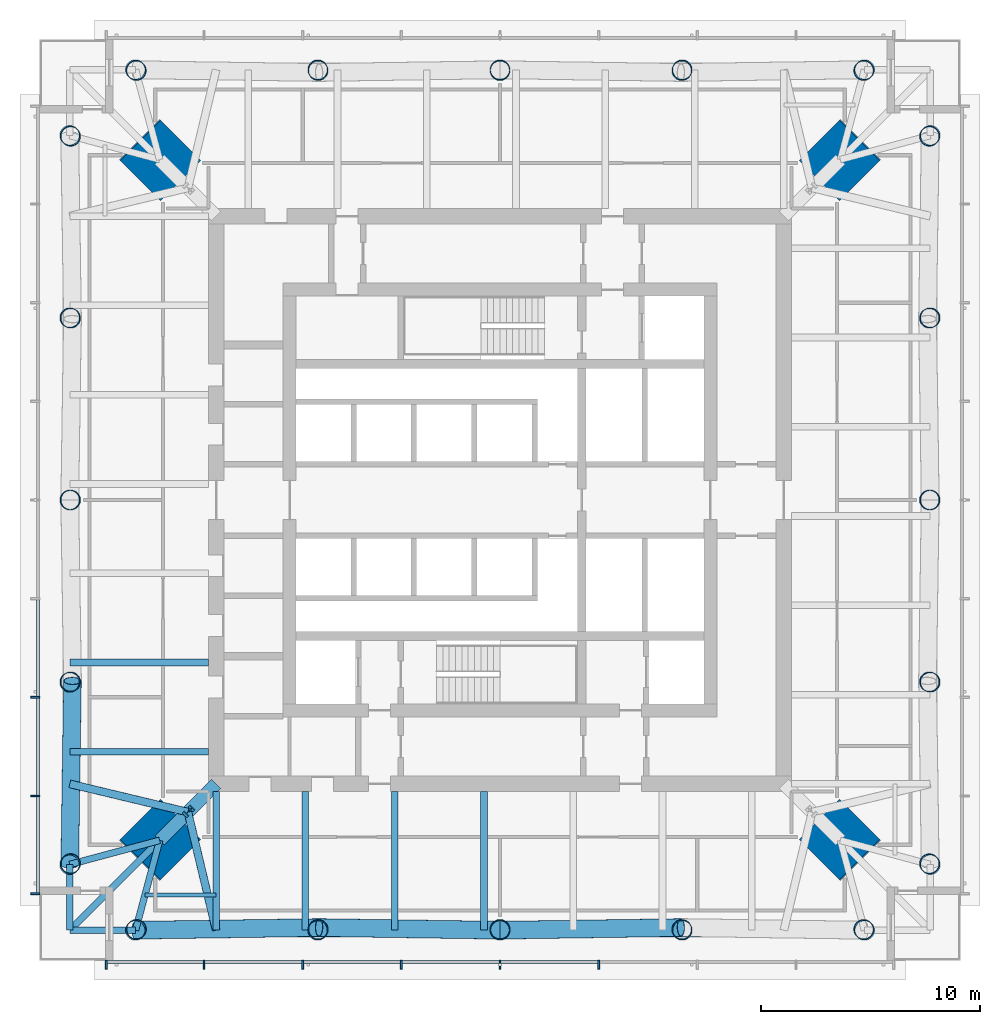
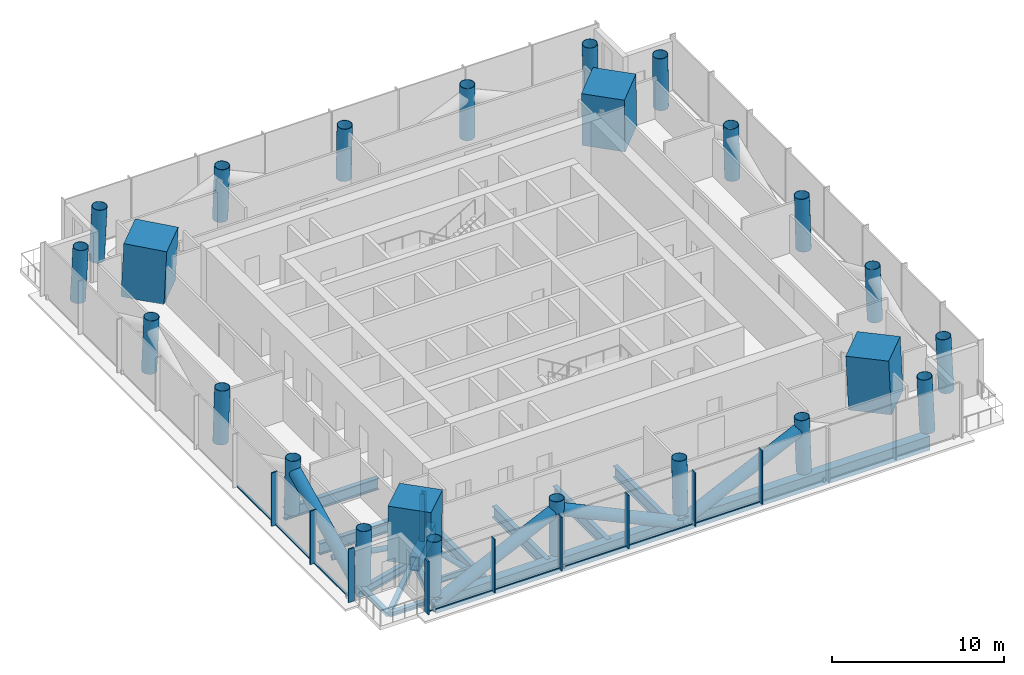
# One storey, part 1 of 13: 26 members, 24 columns, 12 beams, 2 elements without a shape of their own.
"""IFC4 building model written with IfcOpenShell, lengths in metres."""

import ifcopenshell
import ifcopenshell.guid

model = None  # the IFC model being written
_history = None  # IfcOwnerHistory: only IFC2X3 demands one
_inside = {}  # id of a spatial element -> (the spatial element, [elements in it])
_under = {}  # id of a project, library or spatial element -> (it, [spatial elements below it])
_declared = {}  # id of a project -> (the project, [libraries it declares])
_typed = {}  # id of a type object -> (the type object, [elements of that type])
_made_of = {}  # id of a material, layer set ... -> (it, [elements and type objects made of it])


def new_model(schema):
    """Start an empty IFC model of exactly this schema.

    Asked for "IFC4X3", IfcOpenShell would pick the latest addendum, in which some entities
    have other attributes; the version numbers below select the first issue.
    IFC2X3 requires an IfcOwnerHistory on every rooted entity: one is made here for all.
    """
    global model, _history
    if schema == "IFC4X3":
        model = ifcopenshell.file(schema_version=(4, 3, 0, 0))
    else:
        model = ifcopenshell.file(schema=schema)
    _inside.clear()
    _under.clear()
    _declared.clear()
    _typed.clear()
    _made_of.clear()
    _history = None
    if model.schema == "IFC2X3":
        org = make("IfcOrganization", Name="unknown")
        user = make(
            "IfcPersonAndOrganization",
            ThePerson=make("IfcPerson", FamilyName="unknown"),
            TheOrganization=org,
        )
        app = make(
            "IfcApplication",
            ApplicationDeveloper=org,
            Version="unknown",
            ApplicationFullName="unknown",
            ApplicationIdentifier="unknown",
        )
        _history = make(
            "IfcOwnerHistory",
            OwningUser=user,
            OwningApplication=app,
            ChangeAction="ADDED",
            CreationDate=0,
        )
    return model


def make(cls, **values):
    """One entity of the class cls with the attributes given. An attribute that is None is left unset."""
    return model.create_entity(
        cls, **{name: value for name, value in values.items() if value is not None}
    )


def rooted(cls, **values):
    """An entity with a GlobalId (a new one), such as an element, a storey or a relation."""
    return make(cls, GlobalId=ifcopenshell.guid.new(), OwnerHistory=_history, **values)


def si_unit(unit_type, name, prefix=None):
    """IfcSIUnit, for example si_unit("LENGTHUNIT", "METRE", prefix="MILLI")."""
    return make("IfcSIUnit", UnitType=unit_type, Prefix=prefix, Name=name)


def assignment(units):
    """IfcUnitAssignment: the units of a project."""
    return None if units is None else make("IfcUnitAssignment", Units=units)


def point(xyz):
    """IfcCartesianPoint."""
    return None if xyz is None else make("IfcCartesianPoint", Coordinates=xyz)


def direction(xyz):
    """IfcDirection."""
    return None if xyz is None else make("IfcDirection", DirectionRatios=xyz)


def frame(location, z_axis=None, x_axis=None):
    """IfcAxis2Placement3D, a coordinate frame: its origin and axes. An axis left out is left unset."""
    return make(
        "IfcAxis2Placement3D",
        Location=point(location),
        Axis=direction(z_axis),
        RefDirection=direction(x_axis),
    )


def frame_2d(location, x_axis=None):
    """IfcAxis2Placement2D, a coordinate frame in the plane: its origin and x axis."""
    return make(
        "IfcAxis2Placement2D", Location=point(location), RefDirection=direction(x_axis)
    )


def origin():
    """The frame at (0, 0, 0) with its axes left unset."""
    return frame((0.0, 0.0, 0.0))


def origin_2d():
    """The frame at (0, 0) in the plane with its x axis left unset."""
    return frame_2d((0.0, 0.0))


def place(relative_to, where):
    """IfcLocalPlacement: puts the frame where relative to a parent placement (None: the world)."""
    return make(
        "IfcLocalPlacement", PlacementRelTo=relative_to, RelativePlacement=where
    )


def context(
    kind, dimensions, precision=None, world=None, true_north=None, identifier=None
):
    """IfcGeometricRepresentationContext, for example the 3D "Model" context."""
    return make(
        "IfcGeometricRepresentationContext",
        ContextIdentifier=identifier,
        ContextType=kind,
        CoordinateSpaceDimension=dimensions,
        Precision=precision,
        WorldCoordinateSystem=world,
        TrueNorth=true_north,
    )


def subcontext(parent, identifier, kind, view, scale=None):
    """IfcGeometricRepresentationSubContext, for example "Body" below "Model"."""
    return make(
        "IfcGeometricRepresentationSubContext",
        ContextIdentifier=identifier,
        ContextType=kind,
        ParentContext=parent,
        TargetScale=scale,
        TargetView=view,
    )


def project(units=None, contexts=None):
    """IfcProject with its units and contexts."""
    return rooted(
        "IfcProject",
        Name="project",
        RepresentationContexts=contexts,
        UnitsInContext=assignment(units),
    )


def spatial(cls, under=None, at=None, **own):
    """A site, building, storey or space (cls), placed at a placement, below another one or the project."""
    s = rooted(cls, ObjectPlacement=at, **own)
    if under is not None:
        _under.setdefault(under.id(), (under, []))[1].append(s)
    return s


def profile(cls, at=None, kind="AREA", **sizes):
    """A parametric profile (cls). Its sizes go by their IFC names, for example OverallWidth=200.0."""
    return make(cls, ProfileType=kind, Position=at, **sizes)


def rectangle(**sizes):
    """IfcRectangleProfileDef."""
    return profile("IfcRectangleProfileDef", **sizes)


def hollow_rectangle(**sizes):
    """IfcRectangleHollowProfileDef."""
    return profile("IfcRectangleHollowProfileDef", **sizes)


def hollow_circle(**sizes):
    """IfcCircleHollowProfileDef."""
    return profile("IfcCircleHollowProfileDef", **sizes)


def i_section(**sizes):
    """IfcIShapeProfileDef."""
    return profile("IfcIShapeProfileDef", **sizes)


def extrude(swept, where, along, depth):
    """IfcExtrudedAreaSolid: the profile swept, set in the frame where, extruded along a direction by depth."""
    return make(
        "IfcExtrudedAreaSolid",
        SweptArea=swept,
        Position=where,
        ExtrudedDirection=direction(along),
        Depth=depth,
    )


def shape(context_of_items, identifier, shape_type, items):
    """IfcShapeRepresentation: the items that make up one representation, for example the "Body"."""
    return make(
        "IfcShapeRepresentation",
        ContextOfItems=context_of_items,
        RepresentationIdentifier=identifier,
        RepresentationType=shape_type,
        Items=items,
    )


def material(Name=None, Category=None):
    """IfcMaterial."""
    return make("IfcMaterial", Name=Name, Category=Category)


def material_profile(
    of_material, cross_section, Name=None, Category=None, Priority=None
):
    """IfcMaterialProfile: a cross section and its material."""
    return make(
        "IfcMaterialProfile",
        Name=Name,
        Material=of_material,
        Profile=cross_section,
        Priority=Priority,
        Category=Category,
    )


def profile_set(profiles, Name=None, composite=None):
    """IfcMaterialProfileSet."""
    return make(
        "IfcMaterialProfileSet",
        Name=Name,
        MaterialProfiles=profiles,
        CompositeProfile=composite,
    )


def made_of(thing, what):
    """Note that an element or type object is made of a material, layer set ...; save() writes the relation."""
    if what is not None:
        _made_of.setdefault(what.id(), (what, []))[1].append(thing)
    return thing


def type_object(cls, material=None, **own):
    """A type object (cls), such as IfcWallType, which elements share."""
    return made_of(rooted(cls, **own), material)


def element(
    cls,
    number,
    at=None,
    inside=None,
    cuts=None,
    type_object=None,
    material=None,
    context=None,
    identifier="Body",
    shape_type=None,
    held_by="IfcProductDefinitionShape",
    body=None,
    shapes=None,
    **own,
):
    """One element of the class cls, such as IfcWall. Its Tag is "e" and its number.

    at: its placement. inside: the storey or other place that contains it. cuts: it is an
    opening in that element (IfcRelVoidsElement). A single representation is given by context,
    identifier, shape_type and body (its items); several are given by shapes. held_by: the class
    of the entity that holds the representations. save() writes the other relations.
    """
    e = rooted(cls, Tag="e%d" % number, ObjectPlacement=at, **own)
    if body is not None:
        shapes = [shape(context, identifier, shape_type, body)]
    if shapes is not None:
        e.Representation = make(held_by, Representations=shapes)
    if inside is not None:
        _inside.setdefault(inside.id(), (inside, []))[1].append(e)
    if cuts is not None:
        rooted(
            "IfcRelVoidsElement", RelatingBuildingElement=cuts, RelatedOpeningElement=e
        )
    if type_object is not None:
        _typed.setdefault(type_object.id(), (type_object, []))[1].append(e)
    return made_of(e, material)


def aggregate(whole, parts):
    """IfcRelAggregates: a whole, such as a stair, and the parts it consists of."""
    return rooted("IfcRelAggregates", RelatingObject=whole, RelatedObjects=parts)


def save(model, path):
    """Write the relations noted so far, then the file.

    IfcRelAggregates (storeys below a building ...), IfcRelContainedInSpatialStructure (elements
    in a storey), IfcRelDefinesByType, IfcRelAssociatesMaterial and IfcRelDeclares: one each for
    every whole, place, type object, material and project.
    """
    for whole, parts in _under.values():
        aggregate(whole, parts)
    for where, things in _inside.values():
        rooted(
            "IfcRelContainedInSpatialStructure",
            RelatedElements=things,
            RelatingStructure=where,
        )
    for kind, things in _typed.values():
        rooted("IfcRelDefinesByType", RelatedObjects=things, RelatingType=kind)
    for what, things in _made_of.values():
        rooted("IfcRelAssociatesMaterial", RelatedObjects=things, RelatingMaterial=what)
    for by, libraries in _declared.values():
        rooted("IfcRelDeclares", RelatingContext=by, RelatedDefinitions=libraries)
    model.write(path)


model = new_model("IFC4")

# Units and contexts
model_context = context("Model", 3, precision=1e-05, world=origin(), true_north=direction((0.0, 1.0)))
body_context = subcontext(model_context, "Body", "Model", "MODEL_VIEW")
ifc_project = project(units=[si_unit("LENGTHUNIT", "METRE"), si_unit("AREAUNIT", "SQUARE_METRE"), si_unit("VOLUMEUNIT", "CUBIC_METRE"), si_unit("PLANEANGLEUNIT", "RADIAN"), si_unit("MASSUNIT", "GRAM", prefix="KILO")], contexts=[model_context])

# Site, building, storey
site_placement = place(None, origin())
site = spatial("IfcSite", under=ifc_project, at=site_placement, CompositionType="ELEMENT")
building_placement = place(site_placement, origin())
building = spatial("IfcBuilding", under=site, at=building_placement, Name="Ostroluk Exchange", CompositionType="ELEMENT")
storey_placement = place(building_placement, frame((0.0, 0.0, 157.800048828125)))
storey = spatial("IfcBuildingStorey", under=building, at=storey_placement, Name="L40", CompositionType="ELEMENT", Elevation=157.800048828125)

# Columns
ifc_material_1 = material(Name="Concrete C50/60", Category="concrete")
ifc_material_profile_1 = material_profile(ifc_material_1, rectangle(XDim=2.60009765625, YDim=2.60009765625, at=origin_2d()), Name="RC 2600x2600")
ifc_profile_set_1 = profile_set([ifc_material_profile_1], Name="Concrete C50/60")
column_type_1 = type_object("IfcColumnType", Name="Mega column RC 2600x2600", PredefinedType="COLUMN", material=ifc_profile_set_1)
for number, where, z_axis, x_axis, name in (
    (1, (60.528564453125, 61.528564453125, 0.0), (-0.031898107953, -0.031898107953, 0.998981992539), (0.707106781187, -0.707106781187, 0.0), "T1 mega column NE"),
    (2, (29.471435546875, 61.528564453125, 0.0), (0.031898107953, -0.031898107953, 0.998981992539), (0.707106781187, 0.707106781187, 0.0), "T1 mega column NW"),
    (3, (29.471435546875, 30.471435546875, 0.0), (0.031898107953, 0.031898107953, 0.998981992539), (-0.707106781187, 0.707106781187, 0.0), "T1 mega column SW"),
    (4, (60.528564453125, 30.471435546875, 0.0), (-0.031898107953, 0.031898107953, 0.998981992539), (-0.707106781187, -0.707106781187, 0.0), "T1 mega column SE"),
):
    element("IfcColumn", number, at=place(storey_placement, frame(where, z_axis=z_axis, x_axis=x_axis)), inside=storey, type_object=column_type_1, Name=name, PredefinedType="COLUMN", context=body_context, shape_type="SweptSolid", body=[
        extrude(rectangle(XDim=2.60009765625, YDim=2.60009765625, at=origin_2d()), origin(), (0.0, 0.0, 1.0), 3.803955078125),
    ])
ifc_material_2 = material(Name="Steel S460", Category="steel")
ifc_material_profile_2 = material_profile(ifc_material_2, hollow_circle(Radius=0.45703125, WallThickness=0.030029296875, at=origin_2d()), Name="CHS 914x30")
ifc_profile_set_2 = profile_set([ifc_material_profile_2], Name="Steel S460")
column_type_2 = type_object("IfcColumnType", Name="Perimeter column CHS 914x30", PredefinedType="COLUMN", material=ifc_profile_set_2)
for number, where, z_axis, x_axis, name in (
    (5, (64.628662109375, 29.371337890625, 0.0), (-0.031962158256, 0.031962158256, 0.998977898093), (-0.707106781187, -0.707106781187, 0.0), "T1 east face column E0"),
    (6, (64.628662109375, 62.628662109375, 0.0), (-0.031962158256, -0.031962158256, 0.998977898093), (0.707106781187, -0.707106781187, 0.0), "T1 east face column E1"),
):
    element("IfcColumn", number, at=place(storey_placement, frame(where, z_axis=z_axis, x_axis=x_axis)), inside=storey, type_object=column_type_2, Name=name, PredefinedType="COLUMN", context=body_context, shape_type="SweptSolid", body=[
        extrude(hollow_circle(Radius=0.45703125, WallThickness=0.030029296875, at=origin_2d()), origin(), (0.0, 0.0, 1.0), 3.803955078125),
    ])
column_1_placement = place(storey_placement, frame((64.628662109375, 37.685791015625, 0.0), z_axis=(-0.031974442509, 0.015923015547, 0.999361842679), x_axis=(-0.445775033553, -0.895145027055, 0.0)))
element("IfcColumn", 7, at=column_1_placement, inside=storey, type_object=column_type_2, Name="T1 east face column I1", PredefinedType="COLUMN", context=body_context, shape_type="SweptSolid", body=[
    extrude(hollow_circle(Radius=0.45703125, WallThickness=0.030029296875, at=origin_2d()), origin(), (0.0, 0.0, 1.0), 3.802490234375),
])
column_2_placement = place(storey_placement, frame((64.628662109375, 46.0, 0.0), z_axis=(-0.031978496719, 0.0, 0.999488557087), x_axis=(0.0, -1.0, 0.0)))
element("IfcColumn", 8, at=column_2_placement, inside=storey, type_object=column_type_2, Name="T1 east face column I2", PredefinedType="COLUMN", context=body_context, shape_type="SweptSolid", body=[
    extrude(hollow_circle(Radius=0.45703125, WallThickness=0.030029296875, at=origin_2d()), origin(), (0.0, 0.0, 1.0), 3.802001953125),
])
column_3_placement = place(storey_placement, frame((64.628662109375, 54.314208984375, 0.0), z_axis=(-0.031974442509, -0.015923015547, 0.999361842679), x_axis=(0.445775033553, -0.895145027055, 0.0)))
element("IfcColumn", 9, at=column_3_placement, inside=storey, type_object=column_type_2, Name="T1 east face column I3", PredefinedType="COLUMN", context=body_context, shape_type="SweptSolid", body=[
    extrude(hollow_circle(Radius=0.45703125, WallThickness=0.030029296875, at=origin_2d()), origin(), (0.0, 0.0, 1.0), 3.802490234375),
])
for number, where, z_axis, x_axis, name in (
    (10, (61.628662109375, 65.628662109375, 0.0), (-0.031962158256, -0.031962158256, 0.998977898093), (0.707106781187, -0.707106781187, 0.0), "T1 north face column E0"),
    (11, (28.371337890625, 65.628662109375, 0.0), (0.031962158256, -0.031962158256, 0.998977898093), (0.707106781187, 0.707106781187, 0.0), "T1 north face column E1"),
):
    element("IfcColumn", number, at=place(storey_placement, frame(where, z_axis=z_axis, x_axis=x_axis)), inside=storey, type_object=column_type_2, Name=name, PredefinedType="COLUMN", context=body_context, shape_type="SweptSolid", body=[
        extrude(hollow_circle(Radius=0.45703125, WallThickness=0.030029296875, at=origin_2d()), origin(), (0.0, 0.0, 1.0), 3.803955078125),
    ])
column_4_placement = place(storey_placement, frame((53.314208984375, 65.628662109375, 0.0), z_axis=(-0.015923015547, -0.031974442509, 0.999361842679), x_axis=(0.895145027055, -0.445775033553, 0.0)))
element("IfcColumn", 12, at=column_4_placement, inside=storey, type_object=column_type_2, Name="T1 north face column I1", PredefinedType="COLUMN", context=body_context, shape_type="SweptSolid", body=[
    extrude(hollow_circle(Radius=0.45703125, WallThickness=0.030029296875, at=origin_2d()), origin(), (0.0, 0.0, 1.0), 3.802490234375),
])
column_5_placement = place(storey_placement, frame((45.0, 65.628662109375, 0.0), z_axis=(0.0, -0.031978496719, 0.999488557087), x_axis=(1.0, 0.0, 0.0)))
element("IfcColumn", 13, at=column_5_placement, inside=storey, type_object=column_type_2, Name="T1 north face column I2", PredefinedType="COLUMN", context=body_context, shape_type="SweptSolid", body=[
    extrude(hollow_circle(Radius=0.45703125, WallThickness=0.030029296875, at=origin_2d()), origin(), (0.0, 0.0, 1.0), 3.802001953125),
])
column_6_placement = place(storey_placement, frame((36.685791015625, 65.628662109375, 0.0), z_axis=(0.015923015547, -0.031974442509, 0.999361842679), x_axis=(0.895145027055, 0.445775033553, 0.0)))
element("IfcColumn", 14, at=column_6_placement, inside=storey, type_object=column_type_2, Name="T1 north face column I3", PredefinedType="COLUMN", context=body_context, shape_type="SweptSolid", body=[
    extrude(hollow_circle(Radius=0.45703125, WallThickness=0.030029296875, at=origin_2d()), origin(), (0.0, 0.0, 1.0), 3.802490234375),
])
for number, where, z_axis, x_axis, name in (
    (15, (25.371337890625, 62.628662109375, 0.0), (0.031962158256, -0.031962158256, 0.998977898093), (0.707106781187, 0.707106781187, 0.0), "T1 west face column E0"),
    (16, (25.371337890625, 29.371337890625, 0.0), (0.031962158256, 0.031962158256, 0.998977898093), (-0.707106781187, 0.707106781187, 0.0), "T1 west face column E1"),
):
    element("IfcColumn", number, at=place(storey_placement, frame(where, z_axis=z_axis, x_axis=x_axis)), inside=storey, type_object=column_type_2, Name=name, PredefinedType="COLUMN", context=body_context, shape_type="SweptSolid", body=[
        extrude(hollow_circle(Radius=0.45703125, WallThickness=0.030029296875, at=origin_2d()), origin(), (0.0, 0.0, 1.0), 3.803955078125),
    ])
column_7_placement = place(storey_placement, frame((25.371337890625, 54.314208984375, 0.0), z_axis=(0.031974442509, -0.015923015547, 0.999361842679), x_axis=(0.445775033553, 0.895145027055, 0.0)))
element("IfcColumn", 17, at=column_7_placement, inside=storey, type_object=column_type_2, Name="T1 west face column I1", PredefinedType="COLUMN", context=body_context, shape_type="SweptSolid", body=[
    extrude(hollow_circle(Radius=0.45703125, WallThickness=0.030029296875, at=origin_2d()), origin(), (0.0, 0.0, 1.0), 3.802490234375),
])
column_8_placement = place(storey_placement, frame((25.371337890625, 46.0, 0.0), z_axis=(0.031978496719, 0.0, 0.999488557087), x_axis=(0.0, 1.0, 0.0)))
element("IfcColumn", 18, at=column_8_placement, inside=storey, type_object=column_type_2, Name="T1 west face column I2", PredefinedType="COLUMN", context=body_context, shape_type="SweptSolid", body=[
    extrude(hollow_circle(Radius=0.45703125, WallThickness=0.030029296875, at=origin_2d()), origin(), (0.0, 0.0, 1.0), 3.802001953125),
])
column_9_placement = place(storey_placement, frame((25.371337890625, 37.685791015625, 0.0), z_axis=(0.031974442509, 0.015923015547, 0.999361842679), x_axis=(-0.445775033553, 0.895145027055, 0.0)))
element("IfcColumn", 19, at=column_9_placement, inside=storey, type_object=column_type_2, Name="T1 west face column I3", PredefinedType="COLUMN", context=body_context, shape_type="SweptSolid", body=[
    extrude(hollow_circle(Radius=0.45703125, WallThickness=0.030029296875, at=origin_2d()), origin(), (0.0, 0.0, 1.0), 3.802490234375),
])
for number, where, z_axis, x_axis, name in (
    (20, (28.371337890625, 26.371337890625, 0.0), (0.031962158256, 0.031962158256, 0.998977898093), (-0.707106781187, 0.707106781187, 0.0), "T1 south face column E0"),
    (21, (61.628662109375, 26.371337890625, 0.0), (-0.031962158256, 0.031962158256, 0.998977898093), (-0.707106781187, -0.707106781187, 0.0), "T1 south face column E1"),
):
    element("IfcColumn", number, at=place(storey_placement, frame(where, z_axis=z_axis, x_axis=x_axis)), inside=storey, type_object=column_type_2, Name=name, PredefinedType="COLUMN", context=body_context, shape_type="SweptSolid", body=[
        extrude(hollow_circle(Radius=0.45703125, WallThickness=0.030029296875, at=origin_2d()), origin(), (0.0, 0.0, 1.0), 3.803955078125),
    ])
column_10_placement = place(storey_placement, frame((36.685791015625, 26.371337890625, 0.0), z_axis=(0.015923015547, 0.031974442509, 0.999361842679), x_axis=(-0.895145027055, 0.445775033553, 0.0)))
element("IfcColumn", 22, at=column_10_placement, inside=storey, type_object=column_type_2, Name="T1 south face column I1", PredefinedType="COLUMN", context=body_context, shape_type="SweptSolid", body=[
    extrude(hollow_circle(Radius=0.45703125, WallThickness=0.030029296875, at=origin_2d()), origin(), (0.0, 0.0, 1.0), 3.802490234375),
])
column_11_placement = place(storey_placement, frame((45.0, 26.371337890625, 0.0), z_axis=(0.0, 0.031978496719, 0.999488557087), x_axis=(-1.0, 0.0, 0.0)))
element("IfcColumn", 23, at=column_11_placement, inside=storey, type_object=column_type_2, Name="T1 south face column I2", PredefinedType="COLUMN", context=body_context, shape_type="SweptSolid", body=[
    extrude(hollow_circle(Radius=0.45703125, WallThickness=0.030029296875, at=origin_2d()), origin(), (0.0, 0.0, 1.0), 3.802001953125),
])
column_12_placement = place(storey_placement, frame((53.314208984375, 26.371337890625, 0.0), z_axis=(-0.015923015547, 0.031974442509, 0.999361842679), x_axis=(-0.895145027055, -0.445775033553, 0.0)))
element("IfcColumn", 24, at=column_12_placement, inside=storey, type_object=column_type_2, Name="T1 south face column I3", PredefinedType="COLUMN", context=body_context, shape_type="SweptSolid", body=[
    extrude(hollow_circle(Radius=0.45703125, WallThickness=0.030029296875, at=origin_2d()), origin(), (0.0, 0.0, 1.0), 3.802490234375),
])

# Beams
ifc_material_3 = material(Name="Steel S355", Category="steel")
ifc_material_profile_3 = material_profile(ifc_material_3, i_section(OverallWidth=0.300048828125, OverallDepth=0.300048828125, WebThickness=0.010986328125, FlangeThickness=0.01904296875, FilletRadius=0.027099609375, at=origin_2d()), Name="HEB 300")
ifc_profile_set_3 = profile_set([ifc_material_profile_3], Name="Steel S355")
beam_type_1 = type_object("IfcBeamType", Name="Balcony beam HEB 300", PredefinedType="BEAM", material=ifc_profile_set_3)
for number, where, z_axis, x_axis, name in (
    (25, (25.371337890625, 29.371337890625, -0.429931640625), (0.0, -1.0, 0.0), (1.0, 0.0, 0.0), "T1 west balcony beam a"),
    (26, (28.371337890625, 26.371337890625, -0.429931640625), (-1.0, 0.0, 0.0), (0.0, -1.0, 0.0), "T1 west balcony beam b"),
):
    element("IfcBeam", number, at=place(storey_placement, frame(where, z_axis=z_axis, x_axis=x_axis)), inside=storey, type_object=beam_type_1, Name=name, PredefinedType="BEAM", context=body_context, shape_type="SweptSolid", body=[
        extrude(i_section(OverallWidth=0.300048828125, OverallDepth=0.300048828125, WebThickness=0.010986328125, FlangeThickness=0.01904296875, FilletRadius=0.027099609375, at=origin_2d()), origin(), (0.0, 0.0, 1.0), 3.0),
    ])
beam_1_placement = place(storey_placement, frame((29.471435546875, 30.471435546875, -0.429931640625), z_axis=(-0.707106781187, -0.707106781187, 0.0), x_axis=(0.707106781187, -0.707106781187, 0.0)))
element("IfcBeam", 27, at=beam_1_placement, inside=storey, type_object=beam_type_1, Name="T1 west balcony beam c", PredefinedType="BEAM", context=body_context, shape_type="SweptSolid", body=[
    extrude(i_section(OverallWidth=0.300048828125, OverallDepth=0.300048828125, WebThickness=0.010986328125, FlangeThickness=0.01904296875, FilletRadius=0.027099609375, at=origin_2d()), origin(), (0.0, 0.0, 1.0), 5.79833984375),
])

# Members
ifc_material_4 = material(Name="Steel S460", Category="steel")
ifc_material_profile_4 = material_profile(ifc_material_4, hollow_rectangle(XDim=0.60009765625, YDim=1.0, WallThickness=0.06005859375, at=origin_2d()), Name="BOX 600x1000x60")
ifc_profile_set_4 = profile_set([ifc_material_profile_4], Name="Steel S460")
member_type_1 = type_object("IfcMemberType", Name="Belt truss chord BOX 600x1000x60", PredefinedType="CHORD", material=ifc_profile_set_4)
member_1_placement = place(storey_placement, frame((28.371337890625, 26.371337890625, -0.780029296875), z_axis=(1.0, 0.0, 0.0), x_axis=(0.0, 1.0, 0.0)))
element("IfcMember", 28, at=member_1_placement, inside=storey, type_object=member_type_1, Name="Belt truss 2 south chord 1", PredefinedType="CHORD", context=body_context, shape_type="SweptSolid", body=[
    extrude(hollow_rectangle(XDim=0.60009765625, YDim=1.0, WallThickness=0.06005859375, at=origin_2d()), origin(), (0.0, 0.0, 1.0), 33.25732421875),
])
ifc_material_5 = material(Name="Steel S460", Category="steel")
ifc_material_profile_5 = material_profile(ifc_material_5, hollow_circle(Radius=0.406494140625, WallThickness=0.030029296875, at=origin_2d()), Name="CHS 813x30")
ifc_profile_set_5 = profile_set([ifc_material_profile_5], Name="Steel S460")
member_type_2 = type_object("IfcMemberType", Name="Belt truss diagonal CHS 813x30", PredefinedType="BRACE", material=ifc_profile_set_5)
for number, where, z_axis, x_axis, name in (
    (29, (25.371337890625, 29.371337890625, -0.780029296875), (0.013218891856, 0.910563988426, 0.413156730406), (-0.999894641271, 0.014515727943, 0.0), "Belt truss 2 west diagonal 1.4"),
    (30, (28.371337890625, 26.371337890625, -0.780029296875), (0.910563988426, 0.013218891856, 0.413156730406), (-0.014515727943, 0.999894641271, 0.0), "Belt truss 2 south diagonal 1.1"),
):
    element("IfcMember", number, at=place(storey_placement, frame(where, z_axis=z_axis, x_axis=x_axis)), inside=storey, type_object=member_type_2, Name=name, PredefinedType="BRACE", context=body_context, shape_type="SweptSolid", body=[
        extrude(hollow_circle(Radius=0.406494140625, WallThickness=0.030029296875, at=origin_2d()), origin(), (0.0, 0.0, 1.0), 9.197509765625),
    ])
for number, where, z_axis, x_axis, name in (
    (31, (45.0, 26.371337890625, -0.780029296875), (-0.908268525886, 0.013379410356, 0.418173739327), (-0.014729079113, -0.99989152123, 0.0), "Belt truss 2 south diagonal 1.2"),
    (32, (45.0, 26.371337890625, -0.780029296875), (0.908268525886, 0.013379410356, 0.418173739327), (-0.014729079113, 0.99989152123, 0.0), "Belt truss 2 south diagonal 1.3"),
):
    element("IfcMember", number, at=place(storey_placement, frame(where, z_axis=z_axis, x_axis=x_axis)), inside=storey, type_object=member_type_2, Name=name, PredefinedType="BRACE", context=body_context, shape_type="SweptSolid", body=[
        extrude(hollow_circle(Radius=0.406494140625, WallThickness=0.030029296875, at=origin_2d()), origin(), (0.0, 0.0, 1.0), 9.087158203125),
    ])

# Beams
ifc_material_6 = material(Name="Steel S355", Category="steel")
ifc_material_profile_6 = material_profile(ifc_material_6, i_section(OverallWidth=0.300048828125, OverallDepth=0.60009765625, WebThickness=0.015380859375, FlangeThickness=0.030029296875, FilletRadius=0.027099609375, at=origin_2d()), Name="HEB 600")
ifc_profile_set_6 = profile_set([ifc_material_profile_6], Name="Steel S355")
beam_type_2 = type_object("IfcBeamType", Name="Corner edge beam HEB 600", PredefinedType="SPANDREL", material=ifc_profile_set_6)
for number, where, z_axis, x_axis, name in (
    (33, (29.471435546875, 30.471435546875, -0.580078125), (-0.965838624319, -0.259144268261, 0.0), (0.259144268261, -0.965838624319, 0.0), "T1 west corner edge beam a"),
    (34, (29.471435546875, 30.471435546875, -0.580078125), (-0.259144268261, -0.965838624319, 0.0), (0.965838624319, -0.259144268261, 0.0), "T1 west corner edge beam b"),
):
    element("IfcBeam", number, at=place(storey_placement, frame(where, z_axis=z_axis, x_axis=x_axis)), inside=storey, type_object=beam_type_2, Name=name, PredefinedType="SPANDREL", context=body_context, shape_type="SweptSolid", body=[
        extrude(i_section(OverallWidth=0.300048828125, OverallDepth=0.60009765625, WebThickness=0.015380859375, FlangeThickness=0.030029296875, FilletRadius=0.027099609375, at=origin_2d()), origin(), (0.0, 0.0, 1.0), 4.2451171875),
    ])
ifc_material_7 = material(Name="Steel S355", Category="steel")
ifc_material_profile_7 = material_profile(ifc_material_7, i_section(OverallWidth=0.302978515625, OverallDepth=0.81396484375, WebThickness=0.02099609375, FlangeThickness=0.0400390625, FilletRadius=0.030029296875, at=origin_2d()), Name="HEM 800")
ifc_profile_set_7 = profile_set([ifc_material_profile_7], Name="Steel S355")
beam_type_3 = type_object("IfcBeamType", Name="Floor beam HEM 800", PredefinedType="BEAM", material=ifc_profile_set_7)
for number, where, z_axis, x_axis, name in (
    (35, (31.699951171875, 38.58837890625, -0.68701171875), (-1.0, 0.0, 0.0), (0.0, -1.0, 0.0), "T1 west floor beam 5"),
    (36, (31.699951171875, 34.51611328125, -0.68701171875), (-1.0, 0.0, 0.0), (0.0, -1.0, 0.0), "T1 west floor beam 6"),
    (37, (36.122314453125, 32.699951171875, -0.68701171875), (0.0, -1.0, 0.0), (1.0, 0.0, 0.0), "T1 south floor beam 1"),
    (38, (40.194580078125, 32.699951171875, -0.68701171875), (0.0, -1.0, 0.0), (1.0, 0.0, 0.0), "T1 south floor beam 2"),
    (39, (44.266845703125, 32.699951171875, -0.68701171875), (0.0, -1.0, 0.0), (1.0, 0.0, 0.0), "T1 south floor beam 3"),
):
    element("IfcBeam", number, at=place(storey_placement, frame(where, z_axis=z_axis, x_axis=x_axis)), inside=storey, type_object=beam_type_3, Name=name, PredefinedType="BEAM", context=body_context, shape_type="SweptSolid", body=[
        extrude(i_section(OverallWidth=0.302978515625, OverallDepth=0.81396484375, WebThickness=0.02099609375, FlangeThickness=0.0400390625, FilletRadius=0.030029296875, at=origin_2d()), origin(), (0.0, 0.0, 1.0), 6.32861328125),
    ])
ifc_material_8 = material(Name="Steel S355", Category="steel")
ifc_material_profile_8 = material_profile(ifc_material_8, i_section(OverallWidth=0.179931640625, OverallDepth=0.39990234375, WebThickness=0.008544921875, FlangeThickness=0.013427734375, FilletRadius=0.02099609375, at=origin_2d()), Name="IPE 400")
ifc_profile_set_8 = profile_set([ifc_material_profile_8], Name="Steel S355")
beam_type_4 = type_object("IfcBeamType", Name="Floor beam IPE 400", PredefinedType="BEAM", material=ifc_profile_set_8)
beam_2_placement = place(storey_placement, frame((32.050048828125, 27.971435546875, -0.47998046875), z_axis=(-1.0, 0.0, 0.0), x_axis=(0.0, -1.0, 0.0)))
element("IfcBeam", 40, at=beam_2_placement, inside=storey, type_object=beam_type_4, Name="T1 west floor beam 7", PredefinedType="BEAM", context=body_context, shape_type="SweptSolid", body=[
    extrude(i_section(OverallWidth=0.179931640625, OverallDepth=0.39990234375, WebThickness=0.008544921875, FlangeThickness=0.013427734375, FilletRadius=0.02099609375, at=origin_2d()), origin(), (0.0, 0.0, 1.0), 3.249267578125),
])
ifc_material_9 = material(Name="Steel S355", Category="steel")
ifc_material_profile_9 = material_profile(ifc_material_9, i_section(OverallWidth=0.300048828125, OverallDepth=0.699951171875, WebThickness=0.01708984375, FlangeThickness=0.031982421875, FilletRadius=0.027099609375, at=origin_2d()), Name="HEB 700")
ifc_profile_set_9 = profile_set([ifc_material_profile_9], Name="Steel S355")
beam_type_5 = type_object("IfcBeamType", Name="Girder HEB 700", PredefinedType="BEAM", material=ifc_profile_set_9)
beam_3_placement = place(storey_placement, frame((32.050048828125, 32.699951171875, -0.630126953125), z_axis=(0.0, -1.0, 0.0), x_axis=(1.0, 0.0, 0.0)))
element("IfcBeam", 41, at=beam_3_placement, inside=storey, type_object=beam_type_5, Name="T1 west girder", PredefinedType="BEAM", context=body_context, shape_type="SweptSolid", body=[
    extrude(i_section(OverallWidth=0.300048828125, OverallDepth=0.699951171875, WebThickness=0.01708984375, FlangeThickness=0.031982421875, FilletRadius=0.027099609375, at=origin_2d()), origin(), (0.0, 0.0, 1.0), 6.32861328125),
])

# Members
ifc_material_10 = material(Name="Steel S460", Category="steel")
ifc_material_profile_10 = material_profile(ifc_material_10, hollow_rectangle(XDim=0.60009765625, YDim=1.0, WallThickness=0.06005859375, at=origin_2d()), Name="BOX 600x1000x60")
ifc_profile_set_10 = profile_set([ifc_material_profile_10], Name="Steel S460")
member_type_3 = type_object("IfcMemberType", Name="Outrigger chord BOX 600x1000x60", PredefinedType="CHORD", material=ifc_profile_set_10)
member_2_placement = place(storey_placement, frame((32.050048828125, 33.050048828125, -0.780029296875), z_axis=(-0.707106781187, -0.707106781187, 0.0), x_axis=(0.707106781187, -0.707106781187, 0.0)))
element("IfcMember", 42, at=member_2_placement, inside=storey, type_object=member_type_3, Name="Outrigger 2 SW chord 1", PredefinedType="CHORD", context=body_context, shape_type="SweptSolid", body=[
    extrude(hollow_rectangle(XDim=0.60009765625, YDim=1.0, WallThickness=0.06005859375, at=origin_2d()), origin(), (0.0, 0.0, 1.0), 3.646728515625),
])
ifc_material_11 = material(Name="Steel S460", Category="steel")
ifc_material_profile_11 = material_profile(ifc_material_11, i_section(OverallWidth=0.306884765625, OverallDepth=0.431884765625, WebThickness=0.02099609375, FlangeThickness=0.0400390625, FilletRadius=0.027099609375, at=origin_2d()), Name="HEM 400")
ifc_profile_set_11 = profile_set([ifc_material_profile_11], Name="Steel S460")
member_type_4 = type_object("IfcMemberType", Name="Outrigger post HEM 400", PredefinedType="POST", material=ifc_profile_set_11)
member_3_placement = place(storey_placement, frame((30.7607421875, 31.7607421875, -0.780029296875), z_axis=(0.015993337676, 0.015993337676, 0.999744180428), x_axis=(-0.707106781187, 0.707106781187, 0.0)))
element("IfcMember", 43, at=member_3_placement, inside=storey, type_object=member_type_4, Name="Outrigger 2 SW post 1", PredefinedType="POST", context=body_context, shape_type="SweptSolid", body=[
    extrude(i_section(OverallWidth=0.306884765625, OverallDepth=0.431884765625, WebThickness=0.02099609375, FlangeThickness=0.0400390625, FilletRadius=0.027099609375, at=origin_2d()), origin(), (0.0, 0.0, 1.0), 3.801025390625),
])
ifc_material_12 = material(Name="Steel S460", Category="steel")
ifc_material_profile_12 = material_profile(ifc_material_12, hollow_circle(Radius=0.177734375, WallThickness=0.012451171875, at=origin_2d()), Name="CHS 355.6x12.5")
ifc_profile_set_12 = profile_set([ifc_material_profile_12], Name="Steel S460")
member_type_5 = type_object("IfcMemberType", Name="Plan bracing CHS 355.6x12.5", PredefinedType="BRACE", material=ifc_profile_set_12)
for number, where, z_axis, x_axis, name in (
    (44, (30.7607421875, 31.7607421875, -0.457763671875), (-0.972557006589, 0.232664713558, 0.0), (-0.232664713558, -0.972557006589, 0.0), "Plan bracing L40 SW a"),
    (45, (30.7607421875, 31.7607421875, -0.457763671875), (0.232664713558, -0.972557006589, 0.0), (0.972557006589, 0.232664713558, 0.0), "Plan bracing L40 SW b"),
):
    element("IfcMember", number, at=place(storey_placement, frame(where, z_axis=z_axis, x_axis=x_axis)), inside=storey, type_object=member_type_5, Name=name, PredefinedType="BRACE", context=body_context, shape_type="SweptSolid", body=[
        extrude(hollow_circle(Radius=0.177734375, WallThickness=0.012451171875, at=origin_2d()), origin(), (0.0, 0.0, 1.0), 5.54150390625),
    ])

# Curtain wall, members
ifc_material_13 = material(Name="Laminated clear glass", Category="glass")
curtain_wall_type = type_object("IfcCurtainWallType", Name="Office tower plant and sky lobby facade", PredefinedType="USERDEFINED", material=ifc_material_13)
curtain_wall_1_placement = place(storey_placement, origin())
curtain_wall_1 = element("IfcCurtainWall", 46, at=curtain_wall_1_placement, inside=storey, type_object=curtain_wall_type, Name="Office tower south facade L40", ObjectType="LOUVRED CURTAIN WALL", PredefinedType="USERDEFINED")
ifc_material_14 = material(Name="Aluminium mullion", Category="aluminium")
ifc_material_profile_13 = material_profile(ifc_material_14, rectangle(XDim=0.14990234375, YDim=0.080078125, at=origin_2d()), Name="Sill transom 80 x 150")
ifc_profile_set_13 = profile_set([ifc_material_profile_13], Name="Aluminium mullion")
member_type_6 = type_object("IfcMemberType", Name="Sill transom 80 x 150", PredefinedType="USERDEFINED", material=ifc_profile_set_13)
member_4_placement = place(storey_placement, frame((27.080078125, 24.925048828125, 0.0400390625), z_axis=(1.0, 0.0, 0.0), x_axis=(0.0, 1.0, 0.0)))
member_4 = element("IfcMember", 47, at=member_4_placement, type_object=member_type_6, Name="CW-P1 transom 1.1", ObjectType="TRANSOM", PredefinedType="USERDEFINED", context=body_context, shape_type="SweptSolid", body=[
    extrude(rectangle(XDim=0.14990234375, YDim=0.080078125, at=origin_2d()), origin(), (0.0, 0.0, 1.0), 4.3798828125),
])
member_5_placement = place(storey_placement, frame((31.5400390625, 24.925048828125, 0.0400390625), z_axis=(1.0, 0.0, 0.0), x_axis=(0.0, 1.0, 0.0)))
member_5 = element("IfcMember", 48, at=member_5_placement, type_object=member_type_6, Name="CW-P1 transom 2.1", ObjectType="TRANSOM", PredefinedType="USERDEFINED", context=body_context, shape_type="SweptSolid", body=[
    extrude(rectangle(XDim=0.14990234375, YDim=0.080078125, at=origin_2d()), origin(), (0.0, 0.0, 1.0), 4.419921875),
])
member_6_placement = place(storey_placement, frame((36.0400390625, 24.925048828125, 0.0400390625), z_axis=(1.0, 0.0, 0.0), x_axis=(0.0, 1.0, 0.0)))
member_6 = element("IfcMember", 49, at=member_6_placement, type_object=member_type_6, Name="CW-P1 transom 3.1", ObjectType="TRANSOM", PredefinedType="USERDEFINED", context=body_context, shape_type="SweptSolid", body=[
    extrude(rectangle(XDim=0.14990234375, YDim=0.080078125, at=origin_2d()), origin(), (0.0, 0.0, 1.0), 4.419921875),
])
member_7_placement = place(storey_placement, frame((40.5400390625, 24.925048828125, 0.0400390625), z_axis=(1.0, 0.0, 0.0), x_axis=(0.0, 1.0, 0.0)))
member_7 = element("IfcMember", 50, at=member_7_placement, type_object=member_type_6, Name="CW-P1 transom 4.1", ObjectType="TRANSOM", PredefinedType="USERDEFINED", context=body_context, shape_type="SweptSolid", body=[
    extrude(rectangle(XDim=0.14990234375, YDim=0.080078125, at=origin_2d()), origin(), (0.0, 0.0, 1.0), 4.419921875),
])
member_8_placement = place(storey_placement, frame((45.0400390625, 24.925048828125, 0.0400390625), z_axis=(1.0, 0.0, 0.0), x_axis=(0.0, 1.0, 0.0)))
member_8 = element("IfcMember", 51, at=member_8_placement, type_object=member_type_6, Name="CW-P1 transom 5.1", ObjectType="TRANSOM", PredefinedType="USERDEFINED", context=body_context, shape_type="SweptSolid", body=[
    extrude(rectangle(XDim=0.14990234375, YDim=0.080078125, at=origin_2d()), origin(), (0.0, 0.0, 1.0), 4.419921875),
])

curtain_wall_2_placement = place(storey_placement, origin())
curtain_wall_2 = element("IfcCurtainWall", 52, at=curtain_wall_2_placement, inside=storey, type_object=curtain_wall_type, Name="Office tower west facade L40", ObjectType="LOUVRED CURTAIN WALL", PredefinedType="USERDEFINED")
member_9_placement = place(storey_placement, frame((23.925048828125, 41.4599609375, 0.0400390625), z_axis=(0.0, -1.0, 0.0), x_axis=(1.0, 0.0, 0.0)))
member_9 = element("IfcMember", 53, at=member_9_placement, type_object=member_type_6, Name="CW-P1 transom 6.1", ObjectType="TRANSOM", PredefinedType="USERDEFINED", context=body_context, shape_type="SweptSolid", body=[
    extrude(rectangle(XDim=0.14990234375, YDim=0.080078125, at=origin_2d()), origin(), (0.0, 0.0, 1.0), 4.419921875),
])
member_10_placement = place(storey_placement, frame((23.925048828125, 36.9599609375, 0.0400390625), z_axis=(0.0, -1.0, 0.0), x_axis=(1.0, 0.0, 0.0)))
member_10 = element("IfcMember", 54, at=member_10_placement, type_object=member_type_6, Name="CW-P1 transom 7.1", ObjectType="TRANSOM", PredefinedType="USERDEFINED", context=body_context, shape_type="SweptSolid", body=[
    extrude(rectangle(XDim=0.14990234375, YDim=0.080078125, at=origin_2d()), origin(), (0.0, 0.0, 1.0), 4.419921875),
])
member_11_placement = place(storey_placement, frame((23.925048828125, 32.4599609375, 0.0400390625), z_axis=(0.0, -1.0, 0.0), x_axis=(1.0, 0.0, 0.0)))
member_11 = element("IfcMember", 55, at=member_11_placement, type_object=member_type_6, Name="CW-P1 transom 8.1", ObjectType="TRANSOM", PredefinedType="USERDEFINED", context=body_context, shape_type="SweptSolid", body=[
    extrude(rectangle(XDim=0.14990234375, YDim=0.080078125, at=origin_2d()), origin(), (0.0, 0.0, 1.0), 4.3798828125),
])

# Member
ifc_material_15 = material(Name="Aluminium mullion with limestone facing", Category="masonry")
ifc_material_profile_14 = material_profile(ifc_material_15, rectangle(XDim=0.39990234375, YDim=0.080078125, at=origin_2d()), Name="Tracery mullion 80 x 400")
ifc_profile_set_14 = profile_set([ifc_material_profile_14], Name="Aluminium mullion with limestone facing")
member_type_7 = type_object("IfcMemberType", Name="Tracery mullion 80 x 400", PredefinedType="MULLION", material=ifc_profile_set_14)
member_12_placement = place(storey_placement, frame((27.0400390625, 24.800048828125, 0.0), z_axis=(0.0, 0.0, 1.0), x_axis=(0.0, 1.0, 0.0)))
member_12 = element("IfcMember", 56, at=member_12_placement, type_object=member_type_7, Name="CW-P1 mullion 1", PredefinedType="MULLION", context=body_context, shape_type="SweptSolid", body=[
    extrude(rectangle(XDim=0.39990234375, YDim=0.080078125, at=origin_2d()), origin(), (0.0, 0.0, 1.0), 3.800048828125),
])

member_13_placement = place(storey_placement, frame((31.5, 24.800048828125, 0.0), z_axis=(0.0, 0.0, 1.0), x_axis=(0.0, 1.0, 0.0)))
member_13 = element("IfcMember", 57, at=member_13_placement, type_object=member_type_7, Name="CW-P1 mullion 2", PredefinedType="MULLION", context=body_context, shape_type="SweptSolid", body=[
    extrude(rectangle(XDim=0.39990234375, YDim=0.080078125, at=origin_2d()), origin(), (0.0, 0.0, 1.0), 3.800048828125),
])

member_14_placement = place(storey_placement, frame((36.0, 24.800048828125, 0.0), z_axis=(0.0, 0.0, 1.0), x_axis=(0.0, 1.0, 0.0)))
member_14 = element("IfcMember", 58, at=member_14_placement, type_object=member_type_7, Name="CW-P1 mullion 3", PredefinedType="MULLION", context=body_context, shape_type="SweptSolid", body=[
    extrude(rectangle(XDim=0.39990234375, YDim=0.080078125, at=origin_2d()), origin(), (0.0, 0.0, 1.0), 3.800048828125),
])

member_15_placement = place(storey_placement, frame((40.5, 24.800048828125, 0.0), z_axis=(0.0, 0.0, 1.0), x_axis=(0.0, 1.0, 0.0)))
member_15 = element("IfcMember", 59, at=member_15_placement, type_object=member_type_7, Name="CW-P1 mullion 4", PredefinedType="MULLION", context=body_context, shape_type="SweptSolid", body=[
    extrude(rectangle(XDim=0.39990234375, YDim=0.080078125, at=origin_2d()), origin(), (0.0, 0.0, 1.0), 3.800048828125),
])

member_16_placement = place(storey_placement, frame((45.0, 24.800048828125, 0.0), z_axis=(0.0, 0.0, 1.0), x_axis=(0.0, 1.0, 0.0)))
member_16 = element("IfcMember", 60, at=member_16_placement, type_object=member_type_7, Name="CW-P1 mullion 5", PredefinedType="MULLION", context=body_context, shape_type="SweptSolid", body=[
    extrude(rectangle(XDim=0.39990234375, YDim=0.080078125, at=origin_2d()), origin(), (0.0, 0.0, 1.0), 3.800048828125),
])

member_17_placement = place(storey_placement, frame((49.5, 24.800048828125, 0.0), z_axis=(0.0, 0.0, 1.0), x_axis=(0.0, 1.0, 0.0)))
member_17 = element("IfcMember", 61, at=member_17_placement, type_object=member_type_7, Name="CW-P1 mullion 6", PredefinedType="MULLION", context=body_context, shape_type="SweptSolid", body=[
    extrude(rectangle(XDim=0.39990234375, YDim=0.080078125, at=origin_2d()), origin(), (0.0, 0.0, 1.0), 3.800048828125),
])

aggregate(curtain_wall_1, [member_12, member_13, member_14, member_15, member_16, member_17, member_4, member_5, member_6, member_7, member_8])

member_18_placement = place(storey_placement, frame((23.800048828125, 37.0, 0.0), z_axis=(0.0, 0.0, 1.0), x_axis=(1.0, 0.0, 0.0)))
member_18 = element("IfcMember", 62, at=member_18_placement, type_object=member_type_7, Name="CW-P1 mullion 7", PredefinedType="MULLION", context=body_context, shape_type="SweptSolid", body=[
    extrude(rectangle(XDim=0.39990234375, YDim=0.080078125, at=origin_2d()), origin(), (0.0, 0.0, 1.0), 3.800048828125),
])

member_19_placement = place(storey_placement, frame((23.800048828125, 32.5, 0.0), z_axis=(0.0, 0.0, 1.0), x_axis=(1.0, 0.0, 0.0)))
member_19 = element("IfcMember", 63, at=member_19_placement, type_object=member_type_7, Name="CW-P1 mullion 8", PredefinedType="MULLION", context=body_context, shape_type="SweptSolid", body=[
    extrude(rectangle(XDim=0.39990234375, YDim=0.080078125, at=origin_2d()), origin(), (0.0, 0.0, 1.0), 3.800048828125),
])

member_20_placement = place(storey_placement, frame((23.800048828125, 28.0400390625, 0.0), z_axis=(0.0, 0.0, 1.0), x_axis=(1.0, 0.0, 0.0)))
member_20 = element("IfcMember", 64, at=member_20_placement, type_object=member_type_7, Name="CW-P1 mullion 9", PredefinedType="MULLION", context=body_context, shape_type="SweptSolid", body=[
    extrude(rectangle(XDim=0.39990234375, YDim=0.080078125, at=origin_2d()), origin(), (0.0, 0.0, 1.0), 3.800048828125),
])

aggregate(curtain_wall_2, [member_18, member_19, member_20, member_9, member_10, member_11])

save(model, "model.ifc")
